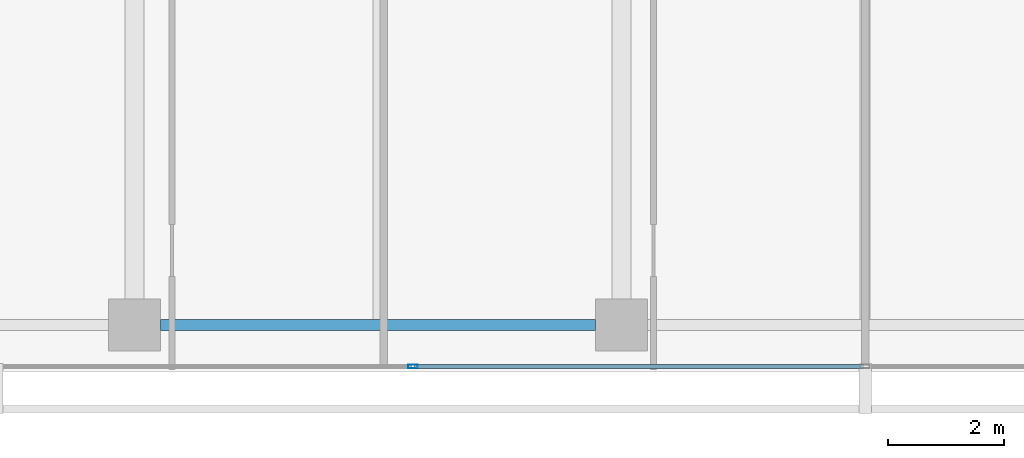
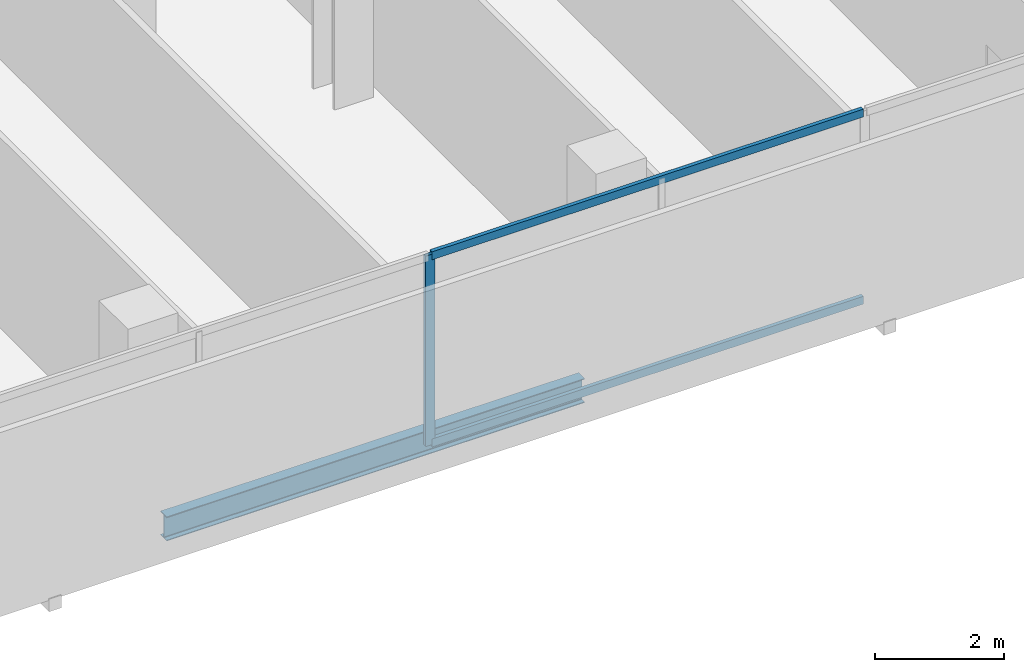
# One storey, part 7 of 39: 3 members, 1 beam, 1 element without a shape of its own.
"""IFC4 building model written with IfcOpenShell, lengths in metres."""

from ifc_helpers import new_model, si_unit, direction, frame, origin, origin_2d, place, context, subcontext, project, spatial, hollow_rectangle, i_section, extrude, material, layer, layer_set, material_profile, profile_set, type_object, element, aggregate, save


model = new_model("IFC4")

# Units and contexts
model_context = context("Model", 3, precision=1e-05, world=origin(), true_north=direction((0.0, 1.0)))
body_context = subcontext(model_context, "Body", "Model", "MODEL_VIEW")
ifc_project = project(units=[si_unit("LENGTHUNIT", "METRE"), si_unit("AREAUNIT", "SQUARE_METRE"), si_unit("VOLUMEUNIT", "CUBIC_METRE"), si_unit("PLANEANGLEUNIT", "RADIAN"), si_unit("MASSUNIT", "GRAM", prefix="KILO")], contexts=[model_context])

# Site, building, storey
site_placement = place(None, origin())
site = spatial("IfcSite", under=ifc_project, at=site_placement, CompositionType="ELEMENT")
building_placement = place(site_placement, origin())
building = spatial("IfcBuilding", under=site, at=building_placement, Name="Maruvema Waterfront Hotel and Observation Tower", CompositionType="ELEMENT")
storey_placement = place(building_placement, frame((0.0, 0.0, 46.199951171875)))
storey = spatial("IfcBuildingStorey", under=building, at=storey_placement, Name="L10", CompositionType="ELEMENT", Elevation=46.199951171875)

# Curtain wall, members
ifc_material_1 = material(Name="Anodised bronze aluminium and solar-control low-E IGU", Category="aluminium")
ifc_layer = layer(ifc_material_1, 0.159912109375, Name="Zone 1 Bronze Inner Thermal Curtain Wall System CW-02")
ifc_layer_set = layer_set([ifc_layer], Name="Anodised bronze aluminium and solar-control low-E IGU")
curtain_wall_type = type_object("IfcCurtainWallType", Name="Zone 1 Bronze Inner Thermal Curtain Wall System CW-02", PredefinedType="USERDEFINED", material=ifc_layer_set)
curtain_wall_placement = place(storey_placement, origin())
curtain_wall = element("IfcCurtainWall", 1, at=curtain_wall_placement, inside=storey, type_object=curtain_wall_type, Name="L10 Curtain Wall CW-L10-S", ObjectType="UNITISED CURTAIN WALL", PredefinedType="USERDEFINED")
ifc_material_2 = material(Name="Anodised architectural bronze aluminium", Category="aluminium")
ifc_material_profile_1 = material_profile(ifc_material_2, hollow_rectangle(XDim=0.070068359375, YDim=0.14990234375, WallThickness=0.00390625, at=origin_2d()), Name="ALU-T70x150")
ifc_profile_set_1 = profile_set([ifc_material_profile_1], Name="Anodised architectural bronze aluminium")
member_type_1 = type_object("IfcMemberType", Name="Curtain Wall Horizontal Transom ALU-T70x150", PredefinedType="USERDEFINED", material=ifc_profile_set_1)
member_1_placement = place(storey_placement, frame((30.030029296875, 0.080078125, 0.030029296875), z_axis=(1.0, 0.0, 0.0), x_axis=(0.0, 1.0, 0.0)))
member_1 = element("IfcMember", 2, at=member_1_placement, type_object=member_type_1, Name="CW-02 transom 3.1", ObjectType="TRANSOM", PredefinedType="USERDEFINED", context=body_context, shape_type="SweptSolid", body=[
    extrude(hollow_rectangle(XDim=0.070068359375, YDim=0.14990234375, WallThickness=0.00390625, at=origin_2d()), origin(), (0.0, 0.0, 1.0), 7.739990234375),
])
member_2_placement = place(storey_placement, frame((30.030029296875, 0.080078125, 3.580078125), z_axis=(1.0, 0.0, 0.0), x_axis=(0.0, 1.0, 0.0)))
member_2 = element("IfcMember", 3, at=member_2_placement, type_object=member_type_1, Name="CW-02 transom 3.2", ObjectType="TRANSOM", PredefinedType="USERDEFINED", context=body_context, shape_type="SweptSolid", body=[
    extrude(hollow_rectangle(XDim=0.070068359375, YDim=0.14990234375, WallThickness=0.00390625, at=origin_2d()), origin(), (0.0, 0.0, 1.0), 7.739990234375),
])
ifc_material_3 = material(Name="Anodised architectural bronze aluminium", Category="aluminium")
ifc_material_profile_2 = material_profile(ifc_material_3, hollow_rectangle(XDim=0.06494140625, YDim=0.1650390625, WallThickness=0.00390625, at=origin_2d()), Name="ALU-M65x165")
ifc_profile_set_2 = profile_set([ifc_material_profile_2], Name="Anodised architectural bronze aluminium")
member_type_2 = type_object("IfcMemberType", Name="Curtain Wall Primary Mullion ALU-M65x165", PredefinedType="MULLION", material=ifc_profile_set_2)
member_3_placement = place(storey_placement, frame((30.0, 0.080078125, 0.0), z_axis=(0.0, 0.0, 1.0), x_axis=(0.0, 1.0, 0.0)))
member_3 = element("IfcMember", 4, at=member_3_placement, type_object=member_type_2, Name="CW-02 mullion 3", PredefinedType="MULLION", context=body_context, shape_type="SweptSolid", body=[
    extrude(hollow_rectangle(XDim=0.06494140625, YDim=0.1650390625, WallThickness=0.00390625, at=origin_2d()), origin(), (0.0, 0.0, 1.0), 3.610107421875),
])
aggregate(curtain_wall, [member_3, member_1, member_2])

# Beam
ifc_material_4 = material(Name="Steel ASTM A572 Grade 50", Category="steel")
ifc_material_profile_3 = material_profile(ifc_material_4, i_section(OverallWidth=0.18994140625, OverallDepth=0.45703125, WebThickness=0.009033203125, FlangeThickness=0.014404296875, FilletRadius=0.014892578125, at=origin_2d()), Name="W460x74.0")
ifc_profile_set_3 = profile_set([ifc_material_profile_3], Name="Steel ASTM A572 Grade 50")
beam_type = type_object("IfcBeamType", Name="Perimeter Spandrel Beam W460x74.0", PredefinedType="SPANDREL", material=ifc_profile_set_3)
beam_placement = place(storey_placement, frame((25.64990234375, 0.800048828125, -0.468505859375), z_axis=(1.0, 0.0, 0.0), x_axis=(0.0, 1.0, 0.0)))
element("IfcBeam", 5, at=beam_placement, inside=storey, type_object=beam_type, Name="L10 Floor Girder EW-02", PredefinedType="SPANDREL", context=body_context, shape_type="SweptSolid", body=[
    extrude(i_section(OverallWidth=0.18994140625, OverallDepth=0.45703125, WebThickness=0.009033203125, FlangeThickness=0.014404296875, FilletRadius=0.014892578125, at=origin_2d()), origin(), (0.0, 0.0, 1.0), 7.5),
])

save(model, "model.ifc")
